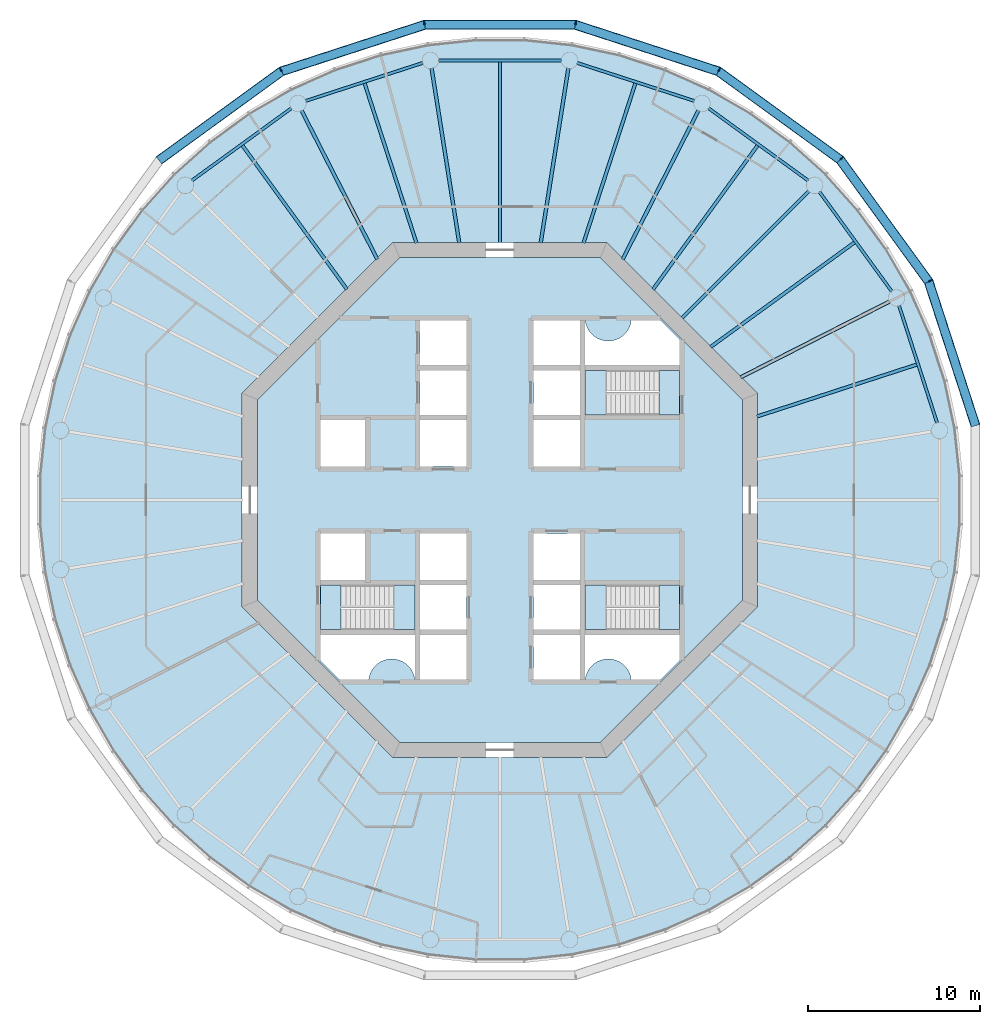
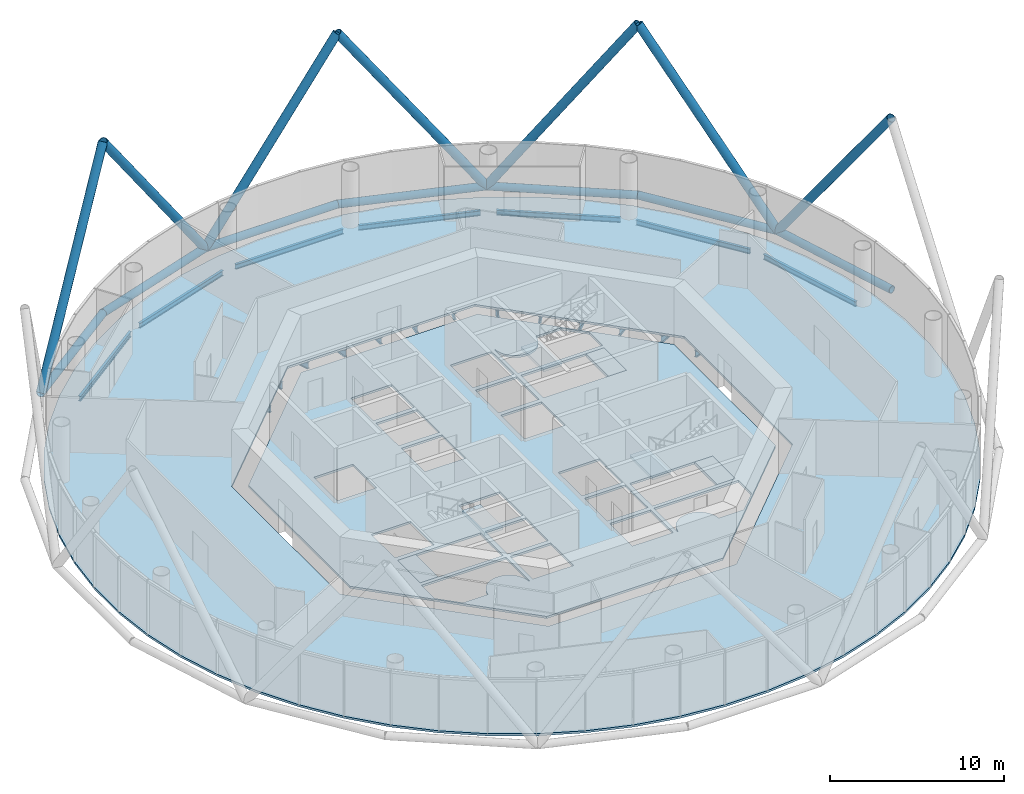
# One storey, part 2 of 13: 20 beams, 14 members, 8 slabs, 3 elements without a shape of their own.
"""IFC4 building model written with IfcOpenShell, lengths in metres."""

import ifcopenshell
import ifcopenshell.guid

model = None  # the IFC model being written
_history = None  # IfcOwnerHistory: only IFC2X3 demands one
_inside = {}  # id of a spatial element -> (the spatial element, [elements in it])
_under = {}  # id of a project, library or spatial element -> (it, [spatial elements below it])
_declared = {}  # id of a project -> (the project, [libraries it declares])
_typed = {}  # id of a type object -> (the type object, [elements of that type])
_made_of = {}  # id of a material, layer set ... -> (it, [elements and type objects made of it])


def new_model(schema):
    """Start an empty IFC model of exactly this schema.

    Asked for "IFC4X3", IfcOpenShell would pick the latest addendum, in which some entities
    have other attributes; the version numbers below select the first issue.
    IFC2X3 requires an IfcOwnerHistory on every rooted entity: one is made here for all.
    """
    global model, _history
    if schema == "IFC4X3":
        model = ifcopenshell.file(schema_version=(4, 3, 0, 0))
    else:
        model = ifcopenshell.file(schema=schema)
    _inside.clear()
    _under.clear()
    _declared.clear()
    _typed.clear()
    _made_of.clear()
    _history = None
    if model.schema == "IFC2X3":
        org = make("IfcOrganization", Name="unknown")
        user = make(
            "IfcPersonAndOrganization",
            ThePerson=make("IfcPerson", FamilyName="unknown"),
            TheOrganization=org,
        )
        app = make(
            "IfcApplication",
            ApplicationDeveloper=org,
            Version="unknown",
            ApplicationFullName="unknown",
            ApplicationIdentifier="unknown",
        )
        _history = make(
            "IfcOwnerHistory",
            OwningUser=user,
            OwningApplication=app,
            ChangeAction="ADDED",
            CreationDate=0,
        )
    return model


def make(cls, **values):
    """One entity of the class cls with the attributes given. An attribute that is None is left unset."""
    return model.create_entity(
        cls, **{name: value for name, value in values.items() if value is not None}
    )


def rooted(cls, **values):
    """An entity with a GlobalId (a new one), such as an element, a storey or a relation."""
    return make(cls, GlobalId=ifcopenshell.guid.new(), OwnerHistory=_history, **values)


def si_unit(unit_type, name, prefix=None):
    """IfcSIUnit, for example si_unit("LENGTHUNIT", "METRE", prefix="MILLI")."""
    return make("IfcSIUnit", UnitType=unit_type, Prefix=prefix, Name=name)


def assignment(units):
    """IfcUnitAssignment: the units of a project."""
    return None if units is None else make("IfcUnitAssignment", Units=units)


def point(xyz):
    """IfcCartesianPoint."""
    return None if xyz is None else make("IfcCartesianPoint", Coordinates=xyz)


def direction(xyz):
    """IfcDirection."""
    return None if xyz is None else make("IfcDirection", DirectionRatios=xyz)


def frame(location, z_axis=None, x_axis=None):
    """IfcAxis2Placement3D, a coordinate frame: its origin and axes. An axis left out is left unset."""
    return make(
        "IfcAxis2Placement3D",
        Location=point(location),
        Axis=direction(z_axis),
        RefDirection=direction(x_axis),
    )


def frame_2d(location, x_axis=None):
    """IfcAxis2Placement2D, a coordinate frame in the plane: its origin and x axis."""
    return make(
        "IfcAxis2Placement2D", Location=point(location), RefDirection=direction(x_axis)
    )


def origin():
    """The frame at (0, 0, 0) with its axes left unset."""
    return frame((0.0, 0.0, 0.0))


def origin_2d():
    """The frame at (0, 0) in the plane with its x axis left unset."""
    return frame_2d((0.0, 0.0))


def place(relative_to, where):
    """IfcLocalPlacement: puts the frame where relative to a parent placement (None: the world)."""
    return make(
        "IfcLocalPlacement", PlacementRelTo=relative_to, RelativePlacement=where
    )


def context(
    kind, dimensions, precision=None, world=None, true_north=None, identifier=None
):
    """IfcGeometricRepresentationContext, for example the 3D "Model" context."""
    return make(
        "IfcGeometricRepresentationContext",
        ContextIdentifier=identifier,
        ContextType=kind,
        CoordinateSpaceDimension=dimensions,
        Precision=precision,
        WorldCoordinateSystem=world,
        TrueNorth=true_north,
    )


def subcontext(parent, identifier, kind, view, scale=None):
    """IfcGeometricRepresentationSubContext, for example "Body" below "Model"."""
    return make(
        "IfcGeometricRepresentationSubContext",
        ContextIdentifier=identifier,
        ContextType=kind,
        ParentContext=parent,
        TargetScale=scale,
        TargetView=view,
    )


def project(units=None, contexts=None):
    """IfcProject with its units and contexts."""
    return rooted(
        "IfcProject",
        Name="project",
        RepresentationContexts=contexts,
        UnitsInContext=assignment(units),
    )


def spatial(cls, under=None, at=None, **own):
    """A site, building, storey or space (cls), placed at a placement, below another one or the project."""
    s = rooted(cls, ObjectPlacement=at, **own)
    if under is not None:
        _under.setdefault(under.id(), (under, []))[1].append(s)
    return s


def polyline(points):
    """IfcPolyline through the points."""
    return make("IfcPolyline", Points=[point(p) for p in points])


def profile(cls, at=None, kind="AREA", **sizes):
    """A parametric profile (cls). Its sizes go by their IFC names, for example OverallWidth=200.0."""
    return make(cls, ProfileType=kind, Position=at, **sizes)


def circle(**sizes):
    """IfcCircleProfileDef."""
    return profile("IfcCircleProfileDef", **sizes)


def hollow_circle(**sizes):
    """IfcCircleHollowProfileDef."""
    return profile("IfcCircleHollowProfileDef", **sizes)


def i_section(**sizes):
    """IfcIShapeProfileDef."""
    return profile("IfcIShapeProfileDef", **sizes)


def outline(outer, holes=None, kind="AREA"):
    """IfcArbitraryClosedProfileDef: a profile drawn as a closed curve; with holes, ...WithVoids."""
    if holes is None:
        return make("IfcArbitraryClosedProfileDef", ProfileType=kind, OuterCurve=outer)
    return make(
        "IfcArbitraryProfileDefWithVoids",
        ProfileType=kind,
        OuterCurve=outer,
        InnerCurves=holes,
    )


def extrude(swept, where, along, depth):
    """IfcExtrudedAreaSolid: the profile swept, set in the frame where, extruded along a direction by depth."""
    return make(
        "IfcExtrudedAreaSolid",
        SweptArea=swept,
        Position=where,
        ExtrudedDirection=direction(along),
        Depth=depth,
    )


def shape(context_of_items, identifier, shape_type, items):
    """IfcShapeRepresentation: the items that make up one representation, for example the "Body"."""
    return make(
        "IfcShapeRepresentation",
        ContextOfItems=context_of_items,
        RepresentationIdentifier=identifier,
        RepresentationType=shape_type,
        Items=items,
    )


def material(Name=None, Category=None):
    """IfcMaterial."""
    return make("IfcMaterial", Name=Name, Category=Category)


def layer(
    of_material, thickness, ventilated=None, Name=None, Category=None, Priority=None
):
    """IfcMaterialLayer: one layer of a wall or slab, of a material (None: an air gap)."""
    return make(
        "IfcMaterialLayer",
        Material=of_material,
        LayerThickness=thickness,
        IsVentilated=ventilated,
        Name=Name,
        Category=Category,
        Priority=Priority,
    )


def layer_set(layers, Name=None):
    """IfcMaterialLayerSet."""
    return make("IfcMaterialLayerSet", MaterialLayers=layers, LayerSetName=Name)


def material_profile(
    of_material, cross_section, Name=None, Category=None, Priority=None
):
    """IfcMaterialProfile: a cross section and its material."""
    return make(
        "IfcMaterialProfile",
        Name=Name,
        Material=of_material,
        Profile=cross_section,
        Priority=Priority,
        Category=Category,
    )


def profile_set(profiles, Name=None, composite=None):
    """IfcMaterialProfileSet."""
    return make(
        "IfcMaterialProfileSet",
        Name=Name,
        MaterialProfiles=profiles,
        CompositeProfile=composite,
    )


def made_of(thing, what):
    """Note that an element or type object is made of a material, layer set ...; save() writes the relation."""
    if what is not None:
        _made_of.setdefault(what.id(), (what, []))[1].append(thing)
    return thing


def type_object(cls, material=None, **own):
    """A type object (cls), such as IfcWallType, which elements share."""
    return made_of(rooted(cls, **own), material)


def element(
    cls,
    number,
    at=None,
    inside=None,
    cuts=None,
    type_object=None,
    material=None,
    context=None,
    identifier="Body",
    shape_type=None,
    held_by="IfcProductDefinitionShape",
    body=None,
    shapes=None,
    **own,
):
    """One element of the class cls, such as IfcWall. Its Tag is "e" and its number.

    at: its placement. inside: the storey or other place that contains it. cuts: it is an
    opening in that element (IfcRelVoidsElement). A single representation is given by context,
    identifier, shape_type and body (its items); several are given by shapes. held_by: the class
    of the entity that holds the representations. save() writes the other relations.
    """
    e = rooted(cls, Tag="e%d" % number, ObjectPlacement=at, **own)
    if body is not None:
        shapes = [shape(context, identifier, shape_type, body)]
    if shapes is not None:
        e.Representation = make(held_by, Representations=shapes)
    if inside is not None:
        _inside.setdefault(inside.id(), (inside, []))[1].append(e)
    if cuts is not None:
        rooted(
            "IfcRelVoidsElement", RelatingBuildingElement=cuts, RelatedOpeningElement=e
        )
    if type_object is not None:
        _typed.setdefault(type_object.id(), (type_object, []))[1].append(e)
    return made_of(e, material)


def aggregate(whole, parts):
    """IfcRelAggregates: a whole, such as a stair, and the parts it consists of."""
    return rooted("IfcRelAggregates", RelatingObject=whole, RelatedObjects=parts)


def save(model, path):
    """Write the relations noted so far, then the file.

    IfcRelAggregates (storeys below a building ...), IfcRelContainedInSpatialStructure (elements
    in a storey), IfcRelDefinesByType, IfcRelAssociatesMaterial and IfcRelDeclares: one each for
    every whole, place, type object, material and project.
    """
    for whole, parts in _under.values():
        aggregate(whole, parts)
    for where, things in _inside.values():
        rooted(
            "IfcRelContainedInSpatialStructure",
            RelatedElements=things,
            RelatingStructure=where,
        )
    for kind, things in _typed.values():
        rooted("IfcRelDefinesByType", RelatedObjects=things, RelatingType=kind)
    for what, things in _made_of.values():
        rooted("IfcRelAssociatesMaterial", RelatedObjects=things, RelatingMaterial=what)
    for by, libraries in _declared.values():
        rooted("IfcRelDeclares", RelatingContext=by, RelatedDefinitions=libraries)
    model.write(path)


model = new_model("IFC4")

# Units and contexts
model_context = context("Model", 3, precision=1e-05, world=origin(), true_north=direction((0.0, 1.0)))
body_context = subcontext(model_context, "Body", "Model", "MODEL_VIEW")
ifc_project = project(units=[si_unit("LENGTHUNIT", "METRE"), si_unit("AREAUNIT", "SQUARE_METRE"), si_unit("VOLUMEUNIT", "CUBIC_METRE"), si_unit("PLANEANGLEUNIT", "RADIAN"), si_unit("MASSUNIT", "GRAM", prefix="KILO")], contexts=[model_context])

# Site, building, storey
site_placement = place(None, origin())
site = spatial("IfcSite", under=ifc_project, at=site_placement, CompositionType="ELEMENT")
building_placement = place(site_placement, origin())
building = spatial("IfcBuilding", under=site, at=building_placement, Name="Entoto Ring Tower", CompositionType="ELEMENT")
storey_placement = place(building_placement, frame((0.0, 0.0, 218.0)))
storey = spatial("IfcBuildingStorey", under=building, at=storey_placement, Name="L50", CompositionType="ELEMENT", Elevation=218.0)

# Members
ifc_material_1 = material(Name="Steel S355", Category="steel")
ifc_material_profile_1 = material_profile(ifc_material_1, hollow_circle(Radius=0.279541015625, WallThickness=0.028076171875, at=origin_2d()), Name="CHS 559 x 28")
ifc_material_2 = material(Name="Concrete C60/75", Category="concrete")
ifc_material_profile_2 = material_profile(ifc_material_2, circle(Radius=0.25146484375, at=origin_2d()), Name="Concrete C60/75 infill")
ifc_profile_set_1 = profile_set([ifc_material_profile_1, ifc_material_profile_2], Name="Steel S355")
member_type_1 = type_object("IfcMemberType", Name="Diagrid diagonal 559 x 28 concrete-filled tube", PredefinedType="BRACE", material=ifc_profile_set_1)
for number, where, z_axis, x_axis, name in (
    (1, (114.9482421875, 92.711669921875, 0.0), (0.182200752594, -0.56076685453, 0.807677795049), (0.95105823263, 0.309011711991, 0.0), "DG5A module 16 01"),
    (2, (114.9482421875, 92.711669921875, 0.0), (-0.346570479178, 0.477025319356, 0.807673045022), (-0.809024012567, -0.587775592458, 0.0), "DG5A module 16 02"),
    (3, (102.711669921875, 104.9482421875, 0.0), (0.477025319356, -0.346570479178, 0.807673045022), (0.587775592458, 0.809024012567, 0.0), "DG5A module 16 03"),
    (4, (102.711669921875, 104.9482421875, 0.0), (-0.56076685453, 0.182200752594, 0.807677795049), (-0.309011711991, -0.95105823263, 0.0), "DG5A module 16 04"),
    (5, (85.619873046875, 107.6552734375, 0.0), (0.589622651769, 0.0, 0.807678852342), (0.0, 1.0, 0.0), "DG5A module 16 05"),
    (6, (85.619873046875, 107.6552734375, 0.0), (-0.56076685453, -0.182200752594, 0.807677795049), (0.309011711991, -0.95105823263, 0.0), "DG5A module 16 06"),
    (7, (70.200927734375, 99.799072265625, 0.0), (0.477025319356, 0.346570479178, 0.807673045022), (-0.587775592458, 0.809024012567, 0.0), "DG5A module 16 07"),
):
    element("IfcMember", number, at=place(storey_placement, frame(where, z_axis=z_axis, x_axis=x_axis)), inside=storey, type_object=member_type_1, Name=name, PredefinedType="BRACE", context=body_context, shape_type="SweptSolid", body=[
        extrude(hollow_circle(Radius=0.279541015625, WallThickness=0.028076171875, at=origin_2d()), origin(), (0.0, 0.0, 1.0), 14.857421875),
    ])
ifc_material_3 = material(Name="Steel S355", Category="steel")
ifc_material_profile_3 = material_profile(ifc_material_3, hollow_circle(Radius=0.25390625, WallThickness=0.030029296875, at=origin_2d()), Name="CHS 508 x 30")
ifc_material_4 = material(Name="Concrete C60/75", Category="concrete")
ifc_material_profile_4 = material_profile(ifc_material_4, circle(Radius=0.22412109375, at=origin_2d()), Name="Concrete C60/75 infill")
ifc_profile_set_2 = profile_set([ifc_material_profile_3, ifc_material_profile_4], Name="Steel S355")
member_type_2 = type_object("IfcMemberType", Name="Diagrid ring beam 508 x 30", PredefinedType="CHORD", material=ifc_profile_set_2)
for number, where, z_axis, x_axis, name in (
    (8, (114.983642578125, 92.6630859375, 0.0), (-0.587790766961, 0.809012987705, 0.0), (-0.809012987705, -0.587790766961, 0.0), "DR2 ring 15 01"),
    (9, (109.84765625, 99.763671875, 0.0), (-0.809012987705, 0.587790766961, 0.0), (-0.587790766961, -0.809012987705, 0.0), "DR2 ring 15 02"),
    (10, (102.76904296875, 104.9296875, 0.0), (-0.951061338755, 0.309002151976, 0.0), (-0.309002151976, -0.951061338755, 0.0), "DR2 ring 15 03"),
):
    element("IfcMember", number, at=place(storey_placement, frame(where, z_axis=z_axis, x_axis=x_axis)), inside=storey, type_object=member_type_2, Name=name, PredefinedType="CHORD", context=body_context, shape_type="SweptSolid", body=[
        extrude(hollow_circle(Radius=0.25390625, WallThickness=0.030029296875, at=origin_2d()), origin(), (0.0, 0.0, 1.0), 8.880615234375),
    ])
member_placement = place(storey_placement, frame((94.4404296875, 107.6552734375, 0.0), z_axis=(-1.0, 0.0, 0.0), x_axis=(0.0, -1.0, 0.0)))
element("IfcMember", 11, at=member_placement, inside=storey, type_object=member_type_2, Name="DR2 ring 15 04", PredefinedType="CHORD", context=body_context, shape_type="SweptSolid", body=[
    extrude(hollow_circle(Radius=0.25390625, WallThickness=0.030029296875, at=origin_2d()), origin(), (0.0, 0.0, 1.0), 8.880859375),
])
for number, where, z_axis, x_axis, name in (
    (12, (85.677001953125, 107.673828125, 0.0), (-0.951061338755, -0.309002151976, 0.0), (0.309002151976, -0.951061338755, 0.0), "DR2 ring 15 05"),
    (13, (77.3369140625, 104.983642578125, 0.0), (-0.809012987705, -0.587790766961, 0.0), (0.587790766961, -0.809012987705, 0.0), "DR2 ring 15 06"),
    (14, (117.673828125, 84.322998046875, 0.0), (-0.309002151976, 0.951061338755, 0.0), (-0.951061338755, -0.309002151976, 0.0), "DR2 ring 15 20"),
):
    element("IfcMember", number, at=place(storey_placement, frame(where, z_axis=z_axis, x_axis=x_axis)), inside=storey, type_object=member_type_2, Name=name, PredefinedType="CHORD", context=body_context, shape_type="SweptSolid", body=[
        extrude(hollow_circle(Radius=0.25390625, WallThickness=0.030029296875, at=origin_2d()), origin(), (0.0, 0.0, 1.0), 8.880615234375),
    ])

# Beams
ifc_material_5 = material(Name="Steel S355", Category="steel")
ifc_material_profile_5 = material_profile(ifc_material_5, i_section(OverallWidth=0.169921875, OverallDepth=0.360107421875, WebThickness=0.008056640625, FlangeThickness=0.0126953125, FilletRadius=0.01806640625, at=origin_2d()), Name="IPE 360")
ifc_profile_set_3 = profile_set([ifc_material_profile_5], Name="Steel S355")
beam_type_1 = type_object("IfcBeamType", Name="Edge beam IPE 360", PredefinedType="SPANDREL", material=ifc_profile_set_3)
beam_1_placement = place(storey_placement, frame((115.43505859375, 84.501220703125, -0.330078125), z_axis=(-0.309015118354, 0.951057125849, 0.0), x_axis=(-0.951057125849, -0.309015118354, 0.0)))
element("IfcBeam", 15, at=beam_1_placement, inside=storey, type_object=beam_type_1, Name="Edge beam L50 01", PredefinedType="SPANDREL", context=body_context, shape_type="SweptSolid", body=[
    extrude(i_section(OverallWidth=0.169921875, OverallDepth=0.360107421875, WebThickness=0.008056640625, FlangeThickness=0.0126953125, FilletRadius=0.01806640625, at=origin_2d()), origin(), (0.0, 0.0, 1.0), 7.157958984375),
])
for number, where, z_axis, x_axis, name in (
    (16, (112.79931640625, 92.140625, -0.330078125), (-0.587794432314, 0.809010324619, 0.0), (-0.809010324619, -0.587794432314, 0.0), "Edge beam L50 02"),
    (17, (107.931640625, 98.591796875, -0.330078125), (-0.809010324619, 0.587794432314, 0.0), (-0.587794432314, -0.809010324619, 0.0), "Edge beam L50 03"),
):
    element("IfcBeam", number, at=place(storey_placement, frame(where, z_axis=z_axis, x_axis=x_axis)), inside=storey, type_object=beam_type_1, Name=name, PredefinedType="SPANDREL", context=body_context, shape_type="SweptSolid", body=[
        extrude(i_section(OverallWidth=0.169921875, OverallDepth=0.360107421875, WebThickness=0.008056640625, FlangeThickness=0.0126953125, FilletRadius=0.01806640625, at=origin_2d()), origin(), (0.0, 0.0, 1.0), 7.158203125),
    ])
beam_2_placement = place(storey_placement, frame((101.308837890625, 103.22314453125, -0.330078125), z_axis=(-0.951057125849, 0.309015118354, 0.0), x_axis=(-0.309015118354, -0.951057125849, 0.0)))
element("IfcBeam", 18, at=beam_2_placement, inside=storey, type_object=beam_type_1, Name="Edge beam L50 04", PredefinedType="SPANDREL", context=body_context, shape_type="SweptSolid", body=[
    extrude(i_section(OverallWidth=0.169921875, OverallDepth=0.360107421875, WebThickness=0.008056640625, FlangeThickness=0.0126953125, FilletRadius=0.01806640625, at=origin_2d()), origin(), (0.0, 0.0, 1.0), 7.157958984375),
])
beam_3_placement = place(storey_placement, frame((93.5791015625, 105.5810546875, -0.330078125), z_axis=(-1.0, 0.0, 0.0), x_axis=(0.0, -1.0, 0.0)))
element("IfcBeam", 19, at=beam_3_placement, inside=storey, type_object=beam_type_1, Name="Edge beam L50 05", PredefinedType="SPANDREL", context=body_context, shape_type="SweptSolid", body=[
    extrude(i_section(OverallWidth=0.169921875, OverallDepth=0.360107421875, WebThickness=0.008056640625, FlangeThickness=0.0126953125, FilletRadius=0.01806640625, at=origin_2d()), origin(), (0.0, 0.0, 1.0), 7.158203125),
])
beam_4_placement = place(storey_placement, frame((85.498779296875, 105.43505859375, -0.330078125), z_axis=(-0.951057125849, -0.309015118354, 0.0), x_axis=(0.309015118354, -0.951057125849, 0.0)))
element("IfcBeam", 20, at=beam_4_placement, inside=storey, type_object=beam_type_1, Name="Edge beam L50 06", PredefinedType="SPANDREL", context=body_context, shape_type="SweptSolid", body=[
    extrude(i_section(OverallWidth=0.169921875, OverallDepth=0.360107421875, WebThickness=0.008056640625, FlangeThickness=0.0126953125, FilletRadius=0.01806640625, at=origin_2d()), origin(), (0.0, 0.0, 1.0), 7.157958984375),
])
beam_5_placement = place(storey_placement, frame((77.859375, 102.79931640625, -0.330078125), z_axis=(-0.809010324619, -0.587794432314, 0.0), x_axis=(0.587794432314, -0.809010324619, 0.0)))
element("IfcBeam", 21, at=beam_5_placement, inside=storey, type_object=beam_type_1, Name="Edge beam L50 07", PredefinedType="SPANDREL", context=body_context, shape_type="SweptSolid", body=[
    extrude(i_section(OverallWidth=0.169921875, OverallDepth=0.360107421875, WebThickness=0.008056640625, FlangeThickness=0.0126953125, FilletRadius=0.01806640625, at=origin_2d()), origin(), (0.0, 0.0, 1.0), 7.158203125),
])
ifc_material_6 = material(Name="Steel S355", Category="steel")
ifc_material_profile_6 = material_profile(ifc_material_6, i_section(OverallWidth=0.199951171875, OverallDepth=0.5, WebThickness=0.01025390625, FlangeThickness=0.01611328125, FilletRadius=0.02099609375, at=origin_2d()), Name="IPE 500")
ifc_profile_set_4 = profile_set([ifc_material_profile_6], Name="Steel S355")
beam_type_2 = type_object("IfcBeamType", Name="Primary floor beam IPE 500", PredefinedType="BEAM", material=ifc_profile_set_4)
beam_6_placement = place(storey_placement, frame((104.006103515625, 87.136474609375, -0.39990234375), z_axis=(0.891012442297, 0.45397888461, 0.0), x_axis=(-0.45397888461, 0.891012442297, 0.0)))
element("IfcBeam", 22, at=beam_6_placement, inside=storey, type_object=beam_type_2, Name="Primary L50 R02", PredefinedType="BEAM", context=body_context, shape_type="SweptSolid", body=[
    extrude(i_section(OverallWidth=0.199951171875, OverallDepth=0.5, WebThickness=0.01025390625, FlangeThickness=0.01611328125, FilletRadius=0.02099609375, at=origin_2d()), origin(), (0.0, 0.0, 1.0), 9.710693359375),
])
beam_7_placement = place(storey_placement, frame((100.592529296875, 90.592529296875, -0.39990234375), z_axis=(0.707106781187, 0.707106781187, 0.0), x_axis=(-0.707106781187, 0.707106781187, 0.0)))
element("IfcBeam", 23, at=beam_7_placement, inside=storey, type_object=beam_type_2, Name="Primary L50 R03", PredefinedType="BEAM", context=body_context, shape_type="SweptSolid", body=[
    extrude(i_section(OverallWidth=0.199951171875, OverallDepth=0.5, WebThickness=0.01025390625, FlangeThickness=0.01611328125, FilletRadius=0.02099609375, at=origin_2d()), origin(), (0.0, 0.0, 1.0), 10.4501953125),
])
beam_8_placement = place(storey_placement, frame((97.136474609375, 94.006103515625, -0.39990234375), z_axis=(0.45397888461, 0.891012442297, 0.0), x_axis=(-0.891012442297, 0.45397888461, 0.0)))
element("IfcBeam", 24, at=beam_8_placement, inside=storey, type_object=beam_type_2, Name="Primary L50 R04", PredefinedType="BEAM", context=body_context, shape_type="SweptSolid", body=[
    extrude(i_section(OverallWidth=0.199951171875, OverallDepth=0.5, WebThickness=0.01025390625, FlangeThickness=0.01611328125, FilletRadius=0.02099609375, at=origin_2d()), origin(), (0.0, 0.0, 1.0), 9.710693359375),
])
for number, where, z_axis, x_axis, name in (
    (25, (92.3701171875, 94.964599609375, -0.39990234375), (0.156451644281, 0.987685619518, 0.0), (-0.987685619518, 0.156451644281, 0.0), "Primary L50 R05"),
    (26, (87.6298828125, 94.964599609375, -0.39990234375), (-0.156451644281, 0.987685619518, 0.0), (-0.987685619518, -0.156451644281, 0.0), "Primary L50 R06"),
):
    element("IfcBeam", number, at=place(storey_placement, frame(where, z_axis=z_axis, x_axis=x_axis)), inside=storey, type_object=beam_type_2, Name=name, PredefinedType="BEAM", context=body_context, shape_type="SweptSolid", body=[
        extrude(i_section(OverallWidth=0.199951171875, OverallDepth=0.5, WebThickness=0.01025390625, FlangeThickness=0.01611328125, FilletRadius=0.02099609375, at=origin_2d()), origin(), (0.0, 0.0, 1.0), 10.27880859375),
    ])
beam_9_placement = place(storey_placement, frame((82.863525390625, 94.006103515625, -0.39990234375), z_axis=(-0.45397888461, 0.891012442297, 0.0), x_axis=(-0.891012442297, -0.45397888461, 0.0)))
element("IfcBeam", 27, at=beam_9_placement, inside=storey, type_object=beam_type_2, Name="Primary L50 R07", PredefinedType="BEAM", context=body_context, shape_type="SweptSolid", body=[
    extrude(i_section(OverallWidth=0.199951171875, OverallDepth=0.5, WebThickness=0.01025390625, FlangeThickness=0.01611328125, FilletRadius=0.02099609375, at=origin_2d()), origin(), (0.0, 0.0, 1.0), 9.710693359375),
])
ifc_material_7 = material(Name="Steel S355", Category="steel")
ifc_material_profile_7 = material_profile(ifc_material_7, i_section(OverallWidth=0.18994140625, OverallDepth=0.449951171875, WebThickness=0.009521484375, FlangeThickness=0.0146484375, FilletRadius=0.02099609375, at=origin_2d()), Name="IPE 450")
ifc_profile_set_5 = profile_set([ifc_material_profile_7], Name="Steel S355")
beam_type_3 = type_object("IfcBeamType", Name="Secondary floor beam IPE 450", PredefinedType="JOIST", material=ifc_profile_set_5)
beam_10_placement = place(storey_placement, frame((104.95166015625, 84.858154296875, -0.375), z_axis=(0.951061045963, 0.309003053144, 0.0), x_axis=(-0.309003053144, 0.951061045963, 0.0)))
element("IfcBeam", 28, at=beam_10_placement, inside=storey, type_object=beam_type_3, Name="Secondary beam L50 01", PredefinedType="JOIST", context=body_context, shape_type="SweptSolid", body=[
    extrude(i_section(OverallWidth=0.18994140625, OverallDepth=0.449951171875, WebThickness=0.009521484375, FlangeThickness=0.0146484375, FilletRadius=0.02099609375, at=origin_2d()), origin(), (0.0, 0.0, 1.0), 9.77490234375),
])
for number, where, z_axis, x_axis, name in (
    (29, (102.258056640625, 88.906005859375, -0.375), (0.809010538485, 0.58779413796, 0.0), (-0.58779413796, 0.809010538485, 0.0), "Secondary beam L50 02"),
    (30, (98.906005859375, 92.258056640625, -0.375), (0.58779413796, 0.809010538485, 0.0), (-0.809010538485, 0.58779413796, 0.0), "Secondary beam L50 03"),
):
    element("IfcBeam", number, at=place(storey_placement, frame(where, z_axis=z_axis, x_axis=x_axis)), inside=storey, type_object=beam_type_3, Name=name, PredefinedType="JOIST", context=body_context, shape_type="SweptSolid", body=[
        extrude(i_section(OverallWidth=0.18994140625, OverallDepth=0.449951171875, WebThickness=0.009521484375, FlangeThickness=0.0146484375, FilletRadius=0.02099609375, at=origin_2d()), origin(), (0.0, 0.0, 1.0), 10.34423828125),
    ])
beam_11_placement = place(storey_placement, frame((94.858154296875, 94.95166015625, -0.375), z_axis=(0.309003053144, 0.951061045963, 0.0), x_axis=(-0.951061045963, 0.309003053144, 0.0)))
element("IfcBeam", 31, at=beam_11_placement, inside=storey, type_object=beam_type_3, Name="Secondary beam L50 04", PredefinedType="JOIST", context=body_context, shape_type="SweptSolid", body=[
    extrude(i_section(OverallWidth=0.18994140625, OverallDepth=0.449951171875, WebThickness=0.009521484375, FlangeThickness=0.0146484375, FilletRadius=0.02099609375, at=origin_2d()), origin(), (0.0, 0.0, 1.0), 9.77490234375),
])
beam_12_placement = place(storey_placement, frame((90.0, 94.97998046875, -0.375), z_axis=(0.0, 1.0, 0.0), x_axis=(-1.0, 0.0, 0.0)))
element("IfcBeam", 32, at=beam_12_placement, inside=storey, type_object=beam_type_3, Name="Secondary beam L50 05", PredefinedType="JOIST", context=body_context, shape_type="SweptSolid", body=[
    extrude(i_section(OverallWidth=0.18994140625, OverallDepth=0.449951171875, WebThickness=0.009521484375, FlangeThickness=0.0146484375, FilletRadius=0.02099609375, at=origin_2d()), origin(), (0.0, 0.0, 1.0), 10.51611328125),
])
beam_13_placement = place(storey_placement, frame((85.141845703125, 94.95166015625, -0.375), z_axis=(-0.309003053144, 0.951061045963, 0.0), x_axis=(-0.951061045963, -0.309003053144, 0.0)))
element("IfcBeam", 33, at=beam_13_placement, inside=storey, type_object=beam_type_3, Name="Secondary beam L50 06", PredefinedType="JOIST", context=body_context, shape_type="SweptSolid", body=[
    extrude(i_section(OverallWidth=0.18994140625, OverallDepth=0.449951171875, WebThickness=0.009521484375, FlangeThickness=0.0146484375, FilletRadius=0.02099609375, at=origin_2d()), origin(), (0.0, 0.0, 1.0), 9.77490234375),
])
beam_14_placement = place(storey_placement, frame((81.093994140625, 92.258056640625, -0.375), z_axis=(-0.58779413796, 0.809010538485, 0.0), x_axis=(-0.809010538485, -0.58779413796, 0.0)))
element("IfcBeam", 34, at=beam_14_placement, inside=storey, type_object=beam_type_3, Name="Secondary beam L50 07", PredefinedType="JOIST", context=body_context, shape_type="SweptSolid", body=[
    extrude(i_section(OverallWidth=0.18994140625, OverallDepth=0.449951171875, WebThickness=0.009521484375, FlangeThickness=0.0146484375, FilletRadius=0.02099609375, at=origin_2d()), origin(), (0.0, 0.0, 1.0), 10.34423828125),
])

# Slabs
ifc_material_8 = material(Name="Concrete C30/37", Category="concrete")
ifc_layer_1 = layer(ifc_material_8, 0.14990234375)
ifc_layer_set_1 = layer_set([ifc_layer_1], Name="Concrete C30/37")
slab_type_1 = type_object("IfcSlabType", Name="Composite floor slab 150 mm", PredefinedType="FLOOR", material=ifc_layer_set_1)
slab_1_placement = place(storey_placement, frame((0.0, 0.0, -0.14990234375)))
element("IfcSlab", 35, at=slab_1_placement, inside=storey, type_object=slab_type_1, Name="Floor slab L50", PredefinedType="FLOOR", context=body_context, shape_type="SweptSolid", body=[
    extrude(outline(polyline([(116.56884765625, 84.2080078125), (115.9833984375, 86.962158203125), (115.11328125, 89.64013671875), (113.968017578125, 92.21240234375), (112.560302734375, 94.65087890625), (110.9052734375, 96.9287109375), (109.021240234375, 99.021240234375), (106.9287109375, 100.9052734375), (104.65087890625, 102.560302734375), (102.21240234375, 103.968017578125), (99.64013671875, 105.11328125), (96.962158203125, 105.9833984375), (94.2080078125, 106.56884765625), (91.407958984375, 106.863037109375), (88.592041015625, 106.863037109375), (85.7919921875, 106.56884765625), (83.037841796875, 105.9833984375), (80.35986328125, 105.11328125), (77.78759765625, 103.968017578125), (75.34912109375, 102.560302734375), (73.0712890625, 100.9052734375), (70.978759765625, 99.021240234375), (69.0947265625, 96.9287109375), (67.439697265625, 94.65087890625), (66.031982421875, 92.21240234375), (64.88671875, 89.64013671875), (64.0166015625, 86.962158203125), (63.43115234375, 84.2080078125), (63.136962890625, 81.407958984375), (63.136962890625, 78.592041015625), (63.43115234375, 75.7919921875), (64.0166015625, 73.037841796875), (64.88671875, 70.35986328125), (66.031982421875, 67.78759765625), (67.439697265625, 65.34912109375), (69.0947265625, 63.0712890625), (70.978759765625, 60.978759765625), (73.0712890625, 59.0947265625), (75.34912109375, 57.439697265625), (77.78759765625, 56.031982421875), (80.35986328125, 54.88671875), (83.037841796875, 54.0166015625), (85.7919921875, 53.43115234375), (88.592041015625, 53.136962890625), (91.407958984375, 53.136962890625), (94.2080078125, 53.43115234375), (96.962158203125, 54.0166015625), (99.64013671875, 54.88671875), (102.21240234375, 56.031982421875), (104.65087890625, 57.439697265625), (106.9287109375, 59.0947265625), (109.021240234375, 60.978759765625), (110.9052734375, 63.0712890625), (112.560302734375, 65.34912109375), (113.968017578125, 67.78759765625), (115.11328125, 70.35986328125), (115.9833984375, 73.037841796875), (116.56884765625, 75.7919921875), (116.863037109375, 78.592041015625), (116.863037109375, 81.407958984375), (116.56884765625, 84.2080078125)]), holes=[polyline([(105.0, 73.786865234375), (105.0, 86.213134765625), (96.213134765625, 95.0), (83.786865234375, 95.0), (75.0, 86.213134765625), (75.0, 73.786865234375), (83.786865234375, 65.0), (96.213134765625, 65.0), (105.0, 73.786865234375)])]), origin(), (0.0, 0.0, 1.0), 0.14990234375),
])
ifc_material_9 = material(Name="Concrete C40/50", Category="concrete")
ifc_layer_2 = layer(ifc_material_9, 0.14990234375)
ifc_layer_set_2 = layer_set([ifc_layer_2], Name="Concrete C40/50")
slab_type_2 = type_object("IfcSlabType", Name="Core floor slab 150 mm reinforced concrete C40/50", PredefinedType="FLOOR", material=ifc_layer_set_2)
slab_2_placement = place(storey_placement, frame((0.0, 0.0, -0.14990234375)))
element("IfcSlab", 36, at=slab_2_placement, inside=storey, type_object=slab_type_2, Name="Core floor L50", PredefinedType="FLOOR", context=body_context, shape_type="SweptSolid", body=[
    extrude(outline(polyline([(104.10009765625, 74.15966796875), (104.10009765625, 85.84033203125), (95.84033203125, 94.10009765625), (84.15966796875, 94.10009765625), (75.89990234375, 85.84033203125), (75.89990234375, 74.15966796875), (84.15966796875, 65.89990234375), (95.84033203125, 65.89990234375), (104.10009765625, 74.15966796875)]), holes=[polyline([(100.449951171875, 84.949951171875), (100.449951171875, 87.550048828125), (94.949951171875, 87.550048828125), (94.949951171875, 84.949951171875), (100.449951171875, 84.949951171875)]), polyline([(85.050048828125, 72.449951171875), (85.050048828125, 75.050048828125), (79.550048828125, 75.050048828125), (79.550048828125, 72.449951171875), (85.050048828125, 72.449951171875)]), polyline([(100.449951171875, 72.449951171875), (100.449951171875, 75.050048828125), (94.949951171875, 75.050048828125), (94.949951171875, 72.449951171875), (100.449951171875, 72.449951171875)]), polyline([(91.949951171875, 84.949951171875), (94.64990234375, 84.949951171875), (94.64990234375, 87.550048828125), (91.949951171875, 87.550048828125), (91.949951171875, 84.949951171875)]), polyline([(91.949951171875, 72.449951171875), (94.64990234375, 72.449951171875), (94.64990234375, 75.050048828125), (91.949951171875, 75.050048828125), (91.949951171875, 72.449951171875)]), polyline([(91.949951171875, 69.550048828125), (94.64990234375, 69.550048828125), (94.64990234375, 72.14990234375), (91.949951171875, 72.14990234375), (91.949951171875, 69.550048828125)]), polyline([(85.35009765625, 72.449951171875), (88.050048828125, 72.449951171875), (88.050048828125, 75.050048828125), (85.35009765625, 75.050048828125), (85.35009765625, 72.449951171875)]), polyline([(85.35009765625, 81.949951171875), (88.050048828125, 81.949951171875), (88.050048828125, 84.64990234375), (85.35009765625, 84.64990234375), (85.35009765625, 81.949951171875)]), polyline([(91.949951171875, 75.35009765625), (94.64990234375, 75.35009765625), (94.64990234375, 78.050048828125), (91.949951171875, 78.050048828125), (91.949951171875, 75.35009765625)]), polyline([(79.550048828125, 81.949951171875), (82.14990234375, 81.949951171875), (82.14990234375, 84.64990234375), (79.550048828125, 84.64990234375), (79.550048828125, 81.949951171875)]), polyline([(79.550048828125, 75.35009765625), (82.14990234375, 75.35009765625), (82.14990234375, 78.050048828125), (79.550048828125, 78.050048828125), (79.550048828125, 75.35009765625)]), polyline([(91.949951171875, 87.85009765625), (94.64990234375, 87.85009765625), (94.64990234375, 90.449951171875), (91.949951171875, 90.449951171875), (91.949951171875, 87.85009765625)]), polyline([(85.35009765625, 69.550048828125), (88.050048828125, 69.550048828125), (88.050048828125, 72.14990234375), (85.35009765625, 72.14990234375), (85.35009765625, 69.550048828125)]), polyline([(91.949951171875, 81.949951171875), (94.64990234375, 81.949951171875), (94.64990234375, 84.64990234375), (91.949951171875, 84.64990234375), (91.949951171875, 81.949951171875)]), polyline([(85.35009765625, 75.35009765625), (88.050048828125, 75.35009765625), (88.050048828125, 78.050048828125), (85.35009765625, 78.050048828125), (85.35009765625, 75.35009765625)]), polyline([(85.35009765625, 84.949951171875), (88.050048828125, 84.949951171875), (88.050048828125, 87.550048828125), (85.35009765625, 87.550048828125), (85.35009765625, 84.949951171875)]), polyline([(85.35009765625, 87.85009765625), (88.050048828125, 87.85009765625), (88.050048828125, 90.449951171875), (85.35009765625, 90.449951171875), (85.35009765625, 87.85009765625)]), polyline([(94.89990234375, 90.5), (94.89990234375, 87.800048828125), (100.5, 87.800048828125), (100.5, 89.299072265625), (99.299072265625, 90.5), (97.64501953125, 90.5), (97.6435546875, 90.4677734375), (97.6240234375, 90.336669921875), (97.591796875, 90.2080078125), (97.547119140625, 90.08349609375), (97.490478515625, 89.963623046875), (97.422607421875, 89.85009765625), (97.343505859375, 89.74365234375), (97.254638671875, 89.6455078125), (97.156494140625, 89.556396484375), (97.050048828125, 89.4775390625), (96.936279296875, 89.409423828125), (96.816650390625, 89.352783203125), (96.69189453125, 89.30810546875), (96.5634765625, 89.27587890625), (96.432373046875, 89.256591796875), (96.300048828125, 89.25), (96.167724609375, 89.256591796875), (96.03662109375, 89.27587890625), (95.908203125, 89.30810546875), (95.783447265625, 89.352783203125), (95.66357421875, 89.409423828125), (95.550048828125, 89.4775390625), (95.443603515625, 89.556396484375), (95.345458984375, 89.6455078125), (95.25634765625, 89.74365234375), (95.177490234375, 89.85009765625), (95.109375, 89.963623046875), (95.052734375, 90.08349609375), (95.008056640625, 90.2080078125), (94.975830078125, 90.336669921875), (94.95654296875, 90.4677734375), (94.954833984375, 90.5), (94.89990234375, 90.5)]), polyline([(79.5, 70.700927734375), (80.700927734375, 69.5), (82.35498046875, 69.5), (82.3564453125, 69.5322265625), (82.3759765625, 69.663330078125), (82.408203125, 69.7919921875), (82.452880859375, 69.91650390625), (82.509521484375, 70.036376953125), (82.577392578125, 70.14990234375), (82.656494140625, 70.25634765625), (82.745361328125, 70.3544921875), (82.843505859375, 70.443603515625), (82.949951171875, 70.5224609375), (83.063720703125, 70.590576171875), (83.183349609375, 70.647216796875), (83.30810546875, 70.69189453125), (83.4365234375, 70.72412109375), (83.567626953125, 70.743408203125), (83.699951171875, 70.75), (83.832275390625, 70.743408203125), (83.96337890625, 70.72412109375), (84.091796875, 70.69189453125), (84.216552734375, 70.647216796875), (84.33642578125, 70.590576171875), (84.449951171875, 70.5224609375), (84.556396484375, 70.443603515625), (84.654541015625, 70.3544921875), (84.74365234375, 70.25634765625), (84.822509765625, 70.14990234375), (84.890625, 70.036376953125), (84.947265625, 69.91650390625), (84.991943359375, 69.7919921875), (85.024169921875, 69.663330078125), (85.04345703125, 69.5322265625), (85.045166015625, 69.5), (85.10009765625, 69.5), (85.10009765625, 72.199951171875), (79.5, 72.199951171875), (79.5, 70.700927734375)]), polyline([(97.64501953125, 69.5), (99.299072265625, 69.5), (100.5, 70.700927734375), (100.5, 72.199951171875), (94.89990234375, 72.199951171875), (94.89990234375, 69.5), (94.954833984375, 69.5), (94.95654296875, 69.5322265625), (94.975830078125, 69.663330078125), (95.008056640625, 69.7919921875), (95.052734375, 69.91650390625), (95.109375, 70.036376953125), (95.177490234375, 70.14990234375), (95.25634765625, 70.25634765625), (95.345458984375, 70.3544921875), (95.443603515625, 70.443603515625), (95.550048828125, 70.5224609375), (95.66357421875, 70.590576171875), (95.783447265625, 70.647216796875), (95.908203125, 70.69189453125), (96.03662109375, 70.72412109375), (96.167724609375, 70.743408203125), (96.300048828125, 70.75), (96.432373046875, 70.743408203125), (96.5634765625, 70.72412109375), (96.69189453125, 70.69189453125), (96.816650390625, 70.647216796875), (96.936279296875, 70.590576171875), (97.050048828125, 70.5224609375), (97.156494140625, 70.443603515625), (97.254638671875, 70.3544921875), (97.343505859375, 70.25634765625), (97.422607421875, 70.14990234375), (97.490478515625, 70.036376953125), (97.547119140625, 69.91650390625), (97.591796875, 69.7919921875), (97.6240234375, 69.663330078125), (97.6435546875, 69.5322265625), (97.64501953125, 69.5)])]), origin(), (0.0, 0.0, 1.0), 0.14990234375),
])

# Stair, slabs
ifc_material_10 = material(Name="Concrete C40/50", Category="concrete")
stair_type = type_object("IfcStairType", Name="Exit stair 1200 mm dog-leg reinforced concrete", PredefinedType="HALF_TURN_STAIR", material=ifc_material_10)
stair_1_placement = place(storey_placement, origin())
stair_1 = element("IfcStair", 37, at=stair_1_placement, inside=storey, type_object=stair_type, Name="Exit stair 1", PredefinedType="HALF_TURN_STAIR")
ifc_material_11 = material(Name="Concrete C40/50", Category="concrete")
ifc_layer_3 = layer(ifc_material_11, 0.199951171875)
ifc_layer_set_3 = layer_set([ifc_layer_3], Name="Concrete C40/50")
slab_type_3 = type_object("IfcSlabType", Name="Stair landing 200 mm reinforced concrete", PredefinedType="LANDING", material=ifc_layer_set_3)
slab_3_placement = place(storey_placement, frame((0.0, 0.0, -0.199951171875)))
slab_3 = element("IfcSlab", 38, at=slab_3_placement, type_object=slab_type_3, Name="ST1 landing 1", PredefinedType="LANDING", context=body_context, shape_type="SweptSolid", body=[
    extrude(outline(polyline([(100.449951171875, 84.949951171875), (100.449951171875, 87.550048828125), (99.25, 87.550048828125), (99.25, 84.949951171875), (100.449951171875, 84.949951171875)])), origin(), (0.0, 0.0, 1.0), 0.199951171875),
])
slab_4_placement = place(storey_placement, frame((0.0, 0.0, 1.800048828125)))
slab_4 = element("IfcSlab", 39, at=slab_4_placement, type_object=slab_type_3, Name="ST1 landing 2", PredefinedType="LANDING", context=body_context, shape_type="SweptSolid", body=[
    extrude(outline(polyline([(94.949951171875, 84.949951171875), (96.169921875, 84.949951171875), (96.169921875, 87.550048828125), (94.949951171875, 87.550048828125), (94.949951171875, 84.949951171875)])), origin(), (0.0, 0.0, 1.0), 0.199951171875),
])
aggregate(stair_1, [slab_3, slab_4])

stair_2_placement = place(storey_placement, origin())
stair_2 = element("IfcStair", 40, at=stair_2_placement, inside=storey, type_object=stair_type, Name="Exit stair 2", PredefinedType="HALF_TURN_STAIR")
slab_5_placement = place(storey_placement, frame((0.0, 0.0, -0.199951171875)))
slab_5 = element("IfcSlab", 41, at=slab_5_placement, type_object=slab_type_3, Name="ST2 landing 1", PredefinedType="LANDING", context=body_context, shape_type="SweptSolid", body=[
    extrude(outline(polyline([(80.75, 72.449951171875), (80.75, 75.050048828125), (79.550048828125, 75.050048828125), (79.550048828125, 72.449951171875), (80.75, 72.449951171875)])), origin(), (0.0, 0.0, 1.0), 0.199951171875),
])
slab_6_placement = place(storey_placement, frame((0.0, 0.0, 1.800048828125)))
slab_6 = element("IfcSlab", 42, at=slab_6_placement, type_object=slab_type_3, Name="ST2 landing 2", PredefinedType="LANDING", context=body_context, shape_type="SweptSolid", body=[
    extrude(outline(polyline([(83.830078125, 72.449951171875), (85.050048828125, 72.449951171875), (85.050048828125, 75.050048828125), (83.830078125, 75.050048828125), (83.830078125, 72.449951171875)])), origin(), (0.0, 0.0, 1.0), 0.199951171875),
])
aggregate(stair_2, [slab_5, slab_6])

stair_3_placement = place(storey_placement, origin())
stair_3 = element("IfcStair", 43, at=stair_3_placement, inside=storey, type_object=stair_type, Name="Exit stair 3", PredefinedType="HALF_TURN_STAIR")
slab_7_placement = place(storey_placement, frame((0.0, 0.0, -0.199951171875)))
slab_7 = element("IfcSlab", 44, at=slab_7_placement, type_object=slab_type_3, Name="ST3 landing 1", PredefinedType="LANDING", context=body_context, shape_type="SweptSolid", body=[
    extrude(outline(polyline([(100.449951171875, 72.449951171875), (100.449951171875, 75.050048828125), (99.25, 75.050048828125), (99.25, 72.449951171875), (100.449951171875, 72.449951171875)])), origin(), (0.0, 0.0, 1.0), 0.199951171875),
])
slab_8_placement = place(storey_placement, frame((0.0, 0.0, 1.800048828125)))
slab_8 = element("IfcSlab", 45, at=slab_8_placement, type_object=slab_type_3, Name="ST3 landing 2", PredefinedType="LANDING", context=body_context, shape_type="SweptSolid", body=[
    extrude(outline(polyline([(94.949951171875, 72.449951171875), (96.169921875, 72.449951171875), (96.169921875, 75.050048828125), (94.949951171875, 75.050048828125), (94.949951171875, 72.449951171875)])), origin(), (0.0, 0.0, 1.0), 0.199951171875),
])
aggregate(stair_3, [slab_7, slab_8])

save(model, "model.ifc")
